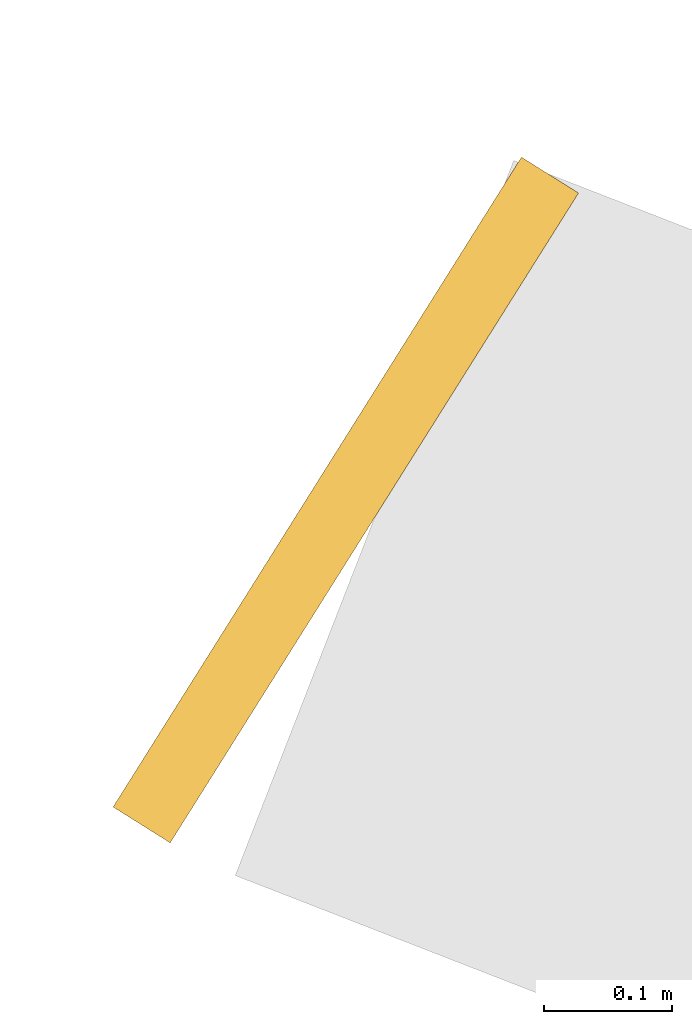
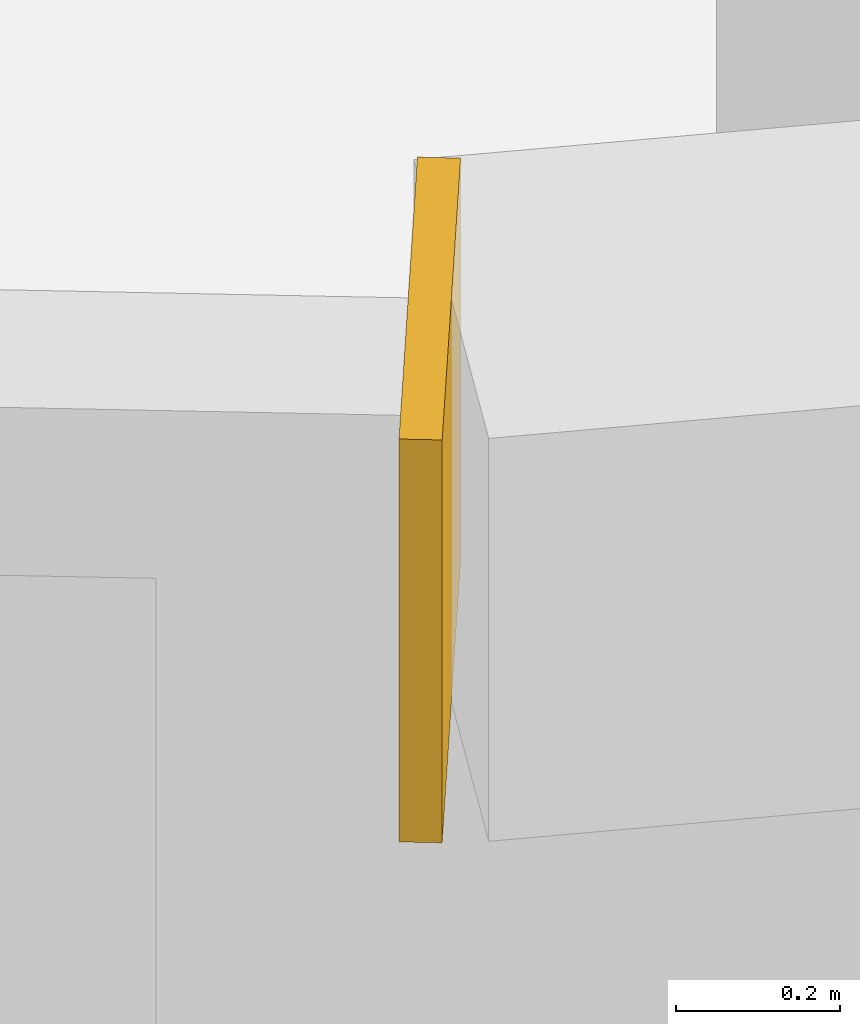
# One storey, part 16 of 16: 1 covering.
"""IFC4 building model written with IfcOpenShell, lengths in metres."""

from ifc_helpers import new_model, si_unit, direction, frame, origin, origin_2d, place, context, subcontext, project, spatial, rectangle, extrude, material, material_profile, profile_set, type_object, element, save


model = new_model("IFC4")

# Units and contexts
model_context = context("Model", 3, precision=1e-05, world=origin(), true_north=direction((0.0, 1.0)))
body_context = subcontext(model_context, "Body", "Model", "MODEL_VIEW")
ifc_project = project(units=[si_unit("LENGTHUNIT", "METRE"), si_unit("AREAUNIT", "SQUARE_METRE"), si_unit("VOLUMEUNIT", "CUBIC_METRE"), si_unit("PLANEANGLEUNIT", "RADIAN"), si_unit("MASSUNIT", "GRAM", prefix="KILO")], contexts=[model_context])

# Site, building, storey
site_placement = place(None, origin())
site = spatial("IfcSite", under=ifc_project, at=site_placement, CompositionType="ELEMENT")
building_placement = place(site_placement, origin())
building = spatial("IfcBuilding", under=site, at=building_placement, Name="Tuul Gate Civic Tower", CompositionType="ELEMENT")
storey_placement = place(building_placement, frame((0.0, 0.0, 184.699951171875)))
storey = spatial("IfcBuildingStorey", under=building, at=storey_placement, Name="Level 42", CompositionType="ELEMENT", Elevation=184.699951171875)

# Covering
ifc_material = material(Name="Terracotta baguette", Category="masonry")
ifc_material_profile = material_profile(ifc_material, rectangle(XDim=0.60009765625, YDim=0.60009765625, at=origin_2d()), Name="Terracotta baguette screen frame")
ifc_profile_set = profile_set([ifc_material_profile], Name="Terracotta baguette")
covering_type = type_object("IfcCoveringType", Name="Terracotta baguette screen frame", PredefinedType="CLADDING", material=ifc_profile_set)
covering_placement = place(storey_placement, frame((-44.939453125, -32.290283203125, 3.85009765625), z_axis=(0.846696104238, -0.532076786816, 0.0), x_axis=(0.532076786816, 0.846696104238, 0.0)))
element("IfcCovering", 1, at=covering_placement, inside=storey, type_object=covering_type, Name="Baguette 164", PredefinedType="CLADDING", context=body_context, shape_type="SweptSolid", body=[
    extrude(rectangle(XDim=0.60009765625, YDim=0.60009765625, at=origin_2d()), origin(), (0.0, 0.0, 1.0), 0.052734375),
])

save(model, "model.ifc")
